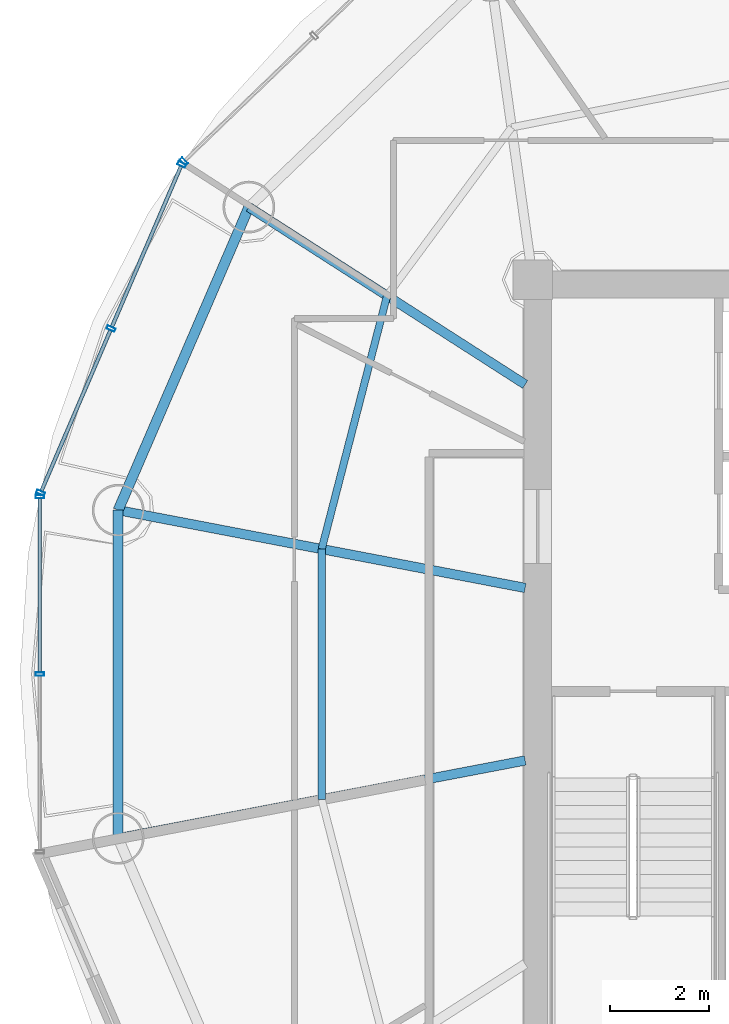
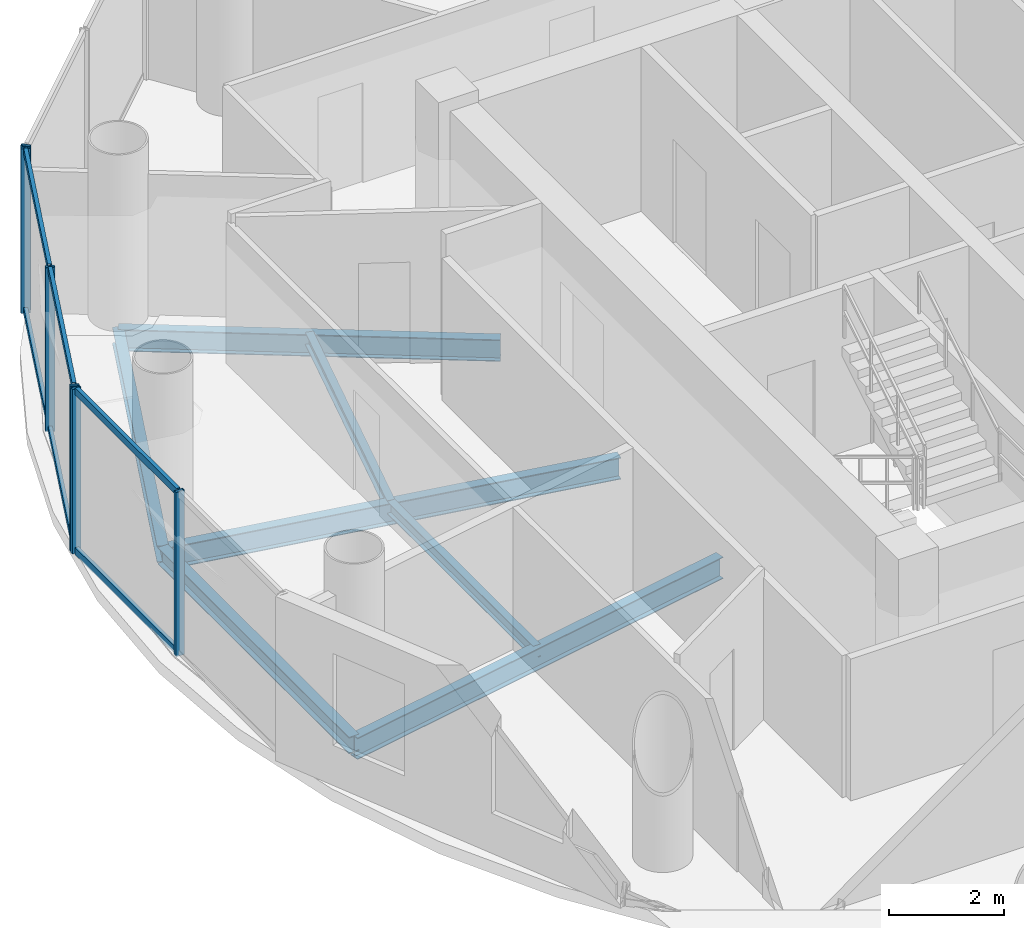
# One storey, part 8 of 23: 12 members, 7 beams, 3 elements without a shape of their own.
"""IFC4 building model written with IfcOpenShell, lengths in metres."""

from ifc_helpers import new_model, si_unit, direction, frame, origin, origin_2d, place, context, subcontext, project, spatial, hollow_rectangle, i_section, extrude, source, transform, mapped, material, material_profile, profile_set, type_object, element, aggregate, save


model = new_model("IFC4")

# Units and contexts
model_context = context("Model", 3, precision=1e-05, world=origin(), true_north=direction((-0.2419218956, 0.970295726276)))
body_context = subcontext(model_context, "Body", "Model", "MODEL_VIEW")
ifc_project = project(units=[si_unit("LENGTHUNIT", "METRE"), si_unit("AREAUNIT", "SQUARE_METRE"), si_unit("VOLUMEUNIT", "CUBIC_METRE"), si_unit("PLANEANGLEUNIT", "RADIAN"), si_unit("MASSUNIT", "GRAM", prefix="KILO")], contexts=[model_context])

# Site, building, storey
site_placement = place(None, origin())
site = spatial("IfcSite", under=ifc_project, at=site_placement, CompositionType="ELEMENT")
building_placement = place(site_placement, origin())
building = spatial("IfcBuilding", under=site, at=building_placement, Name="Cobrevalo Terracotta Tower", CompositionType="ELEMENT")
storey_placement = place(building_placement, frame((0.0, 0.0, 248.199951171875)))
storey = spatial("IfcBuildingStorey", under=building, at=storey_placement, Name="L65", CompositionType="ELEMENT", Elevation=248.199951171875)

# Beams
ifc_material_1 = material(Name="Steel S355", Category="steel")
ifc_material_profile_1 = material_profile(ifc_material_1, i_section(OverallWidth=0.19091796875, OverallDepth=0.4599609375, WebThickness=0.010009765625, FlangeThickness=0.01611328125, at=origin_2d()), Name="W 460x82")
ifc_profile_set_1 = profile_set([ifc_material_profile_1], Name="Steel S355")
beam_type_1 = type_object("IfcBeamType", Name="Structural Beam W 460x82 (Steel S355)", PredefinedType="BEAM", material=ifc_profile_set_1)
beam_1_placement = place(storey_placement, frame((23.241455078125, 36.2724609375, -0.489990234375), z_axis=(0.84157615512, -0.540138477739, 0.0), x_axis=(0.540138477739, 0.84157615512, 0.0)))
element("IfcBeam", 1, at=beam_1_placement, inside=storey, type_object=beam_type_1, Name="L65 radial floor girder 07", PredefinedType="BEAM", context=body_context, shape_type="SweptSolid", body=[
    extrude(i_section(OverallWidth=0.19091796875, OverallDepth=0.4599609375, WebThickness=0.010009765625, FlangeThickness=0.01611328125, at=origin_2d()), origin(), (0.0, 0.0, 1.0), 6.658447265625),
])
beam_2_placement = place(storey_placement, frame((20.591064453125, 30.126220703125, -0.489990234375), z_axis=(0.982234917636, -0.187655446433, 0.0), x_axis=(0.187655446433, 0.982234917636, 0.0)))
element("IfcBeam", 2, at=beam_2_placement, inside=storey, type_object=beam_type_1, Name="L65 radial floor girder 08", PredefinedType="BEAM", context=body_context, shape_type="SweptSolid", body=[
    extrude(i_section(OverallWidth=0.19091796875, OverallDepth=0.4599609375, WebThickness=0.010009765625, FlangeThickness=0.01611328125, at=origin_2d()), origin(), (0.0, 0.0, 1.0), 8.403076171875),
])
beam_3_placement = place(storey_placement, frame((20.591064453125, 23.4736328125, -0.489990234375), z_axis=(0.982229562106, 0.187683476432, 0.0), x_axis=(-0.187683476432, 0.982229562106, 0.0)))
element("IfcBeam", 3, at=beam_3_placement, inside=storey, type_object=beam_type_1, Name="L65 radial floor girder 09", PredefinedType="BEAM", context=body_context, shape_type="SweptSolid", body=[
    extrude(i_section(OverallWidth=0.19091796875, OverallDepth=0.4599609375, WebThickness=0.010009765625, FlangeThickness=0.01611328125, at=origin_2d()), origin(), (0.0, 0.0, 1.0), 8.4033203125),
])
ifc_material_profile_2 = material_profile(ifc_material_1, i_section(OverallWidth=0.14794921875, OverallDepth=0.26611328125, WebThickness=0.007568359375, FlangeThickness=0.012939453125, at=origin_2d()), Name="W 250x44.8")
ifc_profile_set_2 = profile_set([ifc_material_profile_2], Name="Steel S355")
beam_type_2 = type_object("IfcBeamType", Name="Structural Joist W 250x44.8 (Steel S355)", PredefinedType="JOIST", material=ifc_profile_set_2)
beam_4_placement = place(storey_placement, frame((26.043212890625, 34.47412109375, -0.39306640625), z_axis=(-0.249816773293, -0.968293126993, 0.0), x_axis=(0.968293126993, -0.249816773293, 0.0)))
element("IfcBeam", 4, at=beam_4_placement, inside=storey, type_object=beam_type_2, Name="L65 circumferential secondary floor joist 07", PredefinedType="JOIST", context=body_context, shape_type="SweptSolid", body=[
    extrude(i_section(OverallWidth=0.14794921875, OverallDepth=0.26611328125, WebThickness=0.007568359375, FlangeThickness=0.012939453125, at=origin_2d()), origin(), (0.0, 0.0, 1.0), 5.3046875),
])
beam_5_placement = place(storey_placement, frame((24.718017578125, 29.337646484375, -0.39306640625), z_axis=(0.0, -1.0, 0.0), x_axis=(1.0, 0.0, 0.0)))
element("IfcBeam", 5, at=beam_5_placement, inside=storey, type_object=beam_type_2, Name="L65 circumferential secondary floor joist 08", PredefinedType="JOIST", context=body_context, shape_type="SweptSolid", body=[
    extrude(i_section(OverallWidth=0.14794921875, OverallDepth=0.26611328125, WebThickness=0.007568359375, FlangeThickness=0.012939453125, at=origin_2d()), origin(), (0.0, 0.0, 1.0), 5.075439453125),
])
ifc_material_profile_3 = material_profile(ifc_material_1, i_section(OverallWidth=0.205078125, OverallDepth=0.35400390625, WebThickness=0.009521484375, FlangeThickness=0.016845703125, at=origin_2d()), Name="W 360x79")
ifc_profile_set_3 = profile_set([ifc_material_profile_3], Name="Steel S355")
beam_type_3 = type_object("IfcBeamType", Name="Structural Spandrel W 360x79 (Steel S355)", PredefinedType="SPANDREL", material=ifc_profile_set_3)
beam_6_placement = place(storey_placement, frame((23.241455078125, 36.2724609375, -0.43701171875), z_axis=(-0.395974127655, -0.918261667624, 0.0), x_axis=(0.918261667624, -0.395974127655, 0.0)))
element("IfcBeam", 6, at=beam_6_placement, inside=storey, type_object=beam_type_3, Name="L65 perimeter ring spandrel 07", PredefinedType="SPANDREL", context=body_context, shape_type="SweptSolid", body=[
    extrude(i_section(OverallWidth=0.205078125, OverallDepth=0.35400390625, WebThickness=0.009521484375, FlangeThickness=0.016845703125, at=origin_2d()), origin(), (0.0, 0.0, 1.0), 6.693359375),
])
beam_7_placement = place(storey_placement, frame((20.591064453125, 30.126220703125, -0.43701171875), z_axis=(0.0, -1.0, 0.0), x_axis=(1.0, 0.0, 0.0)))
element("IfcBeam", 7, at=beam_7_placement, inside=storey, type_object=beam_type_3, Name="L65 perimeter ring spandrel 08", PredefinedType="SPANDREL", context=body_context, shape_type="SweptSolid", body=[
    extrude(i_section(OverallWidth=0.205078125, OverallDepth=0.35400390625, WebThickness=0.009521484375, FlangeThickness=0.016845703125, at=origin_2d()), origin(), (0.0, 0.0, 1.0), 6.652587890625),
])

# Curtain wall, member
ifc_material_2 = material(Name="Anodized aluminium", Category="aluminium")
curtain_wall_type = type_object("IfcCurtainWallType", Name="Upper-tower triple-glazed penthouse curtain wall CW-U3", PredefinedType="NOTDEFINED", material=ifc_material_2)
curtain_wall_1_placement = place(storey_placement, origin())
curtain_wall_1 = element("IfcCurtainWall", 8, at=curtain_wall_1_placement, inside=storey, type_object=curtain_wall_type, Name="L65 curtain wall CW-L65-S06", PredefinedType="NOTDEFINED")
ifc_material_profile_4 = material_profile(ifc_material_2, hollow_rectangle(XDim=0.070068359375, YDim=0.169921875, WallThickness=0.00439453125, at=origin_2d()), Name="CWM 70x170")
ifc_profile_set_4 = profile_set([ifc_material_profile_4], Name="Anodized aluminium")
member_type_1 = type_object("IfcMemberType", Name="Upper tower unitised mullion 70x170", PredefinedType="MULLION", material=ifc_profile_set_4)
shared_shape_1 = source(origin(), body_context, "Body", "SweptSolid", [
    extrude(hollow_rectangle(XDim=0.070068359375, YDim=0.169921875, WallThickness=0.00439453125, at=origin_2d()), origin(), (0.0, 0.0, 1.0), 3.489990234375),
])
member_1_placement = place(storey_placement, frame((21.92333984375, 37.2001953125, 0.0), z_axis=(0.0, 0.0, 1.0), x_axis=(-0.71999418085, -0.69398010025, 0.0)))
member_1 = element("IfcMember", 9, at=member_1_placement, type_object=member_type_1, Name="CW-L65-S06 vertical mullion 03", PredefinedType="MULLION", context=body_context, shape_type="MappedRepresentation", body=[
    mapped(shared_shape_1, transform((0.0, 0.0, 0.0), scale=1.0)),
])
aggregate(curtain_wall_1, [member_1])

# Curtain wall, members
curtain_wall_2_placement = place(storey_placement, origin())
curtain_wall_2 = element("IfcCurtainWall", 10, at=curtain_wall_2_placement, inside=storey, type_object=curtain_wall_type, Name="L65 curtain wall CW-L65-S07", PredefinedType="NOTDEFINED")
member_2_placement = place(storey_placement, frame((21.878662109375, 37.1357421875, 0.0), z_axis=(0.0, 0.0, 1.0), x_axis=(-0.39482403454, -0.91875675875, 0.0)))
member_2 = element("IfcMember", 11, at=member_2_placement, type_object=member_type_1, Name="CW-L65-S07 vertical mullion 01", PredefinedType="MULLION", context=body_context, shape_type="MappedRepresentation", body=[
    mapped(shared_shape_1, transform((0.0, 0.0, 0.0), scale=1.0)),
])
member_3_placement = place(storey_placement, frame((20.4482421875, 33.807373046875, 0.0), z_axis=(0.0, 0.0, 1.0), x_axis=(-0.39482403454, -0.91875675875, 0.0)))
member_3 = element("IfcMember", 12, at=member_3_placement, type_object=member_type_1, Name="CW-L65-S07 vertical mullion 02", PredefinedType="MULLION", context=body_context, shape_type="MappedRepresentation", body=[
    mapped(shared_shape_1, transform((0.0, 0.0, 0.0), scale=1.0)),
])
member_4_placement = place(storey_placement, frame((19.01806640625, 30.47900390625, 0.0), z_axis=(0.0, 0.0, 1.0), x_axis=(-0.39482403454, -0.91875675875, 0.0)))
member_4 = element("IfcMember", 13, at=member_4_placement, type_object=member_type_1, Name="CW-L65-S07 vertical mullion 03", PredefinedType="MULLION", context=body_context, shape_type="MappedRepresentation", body=[
    mapped(shared_shape_1, transform((0.0, 0.0, 0.0), scale=1.0)),
])

curtain_wall_3_placement = place(storey_placement, origin())
curtain_wall_3 = element("IfcCurtainWall", 14, at=curtain_wall_3_placement, inside=storey, type_object=curtain_wall_type, Name="L65 curtain wall CW-L65-S08", PredefinedType="NOTDEFINED")
member_5_placement = place(storey_placement, frame((19.002197265625, 30.40234375, 0.0), z_axis=(0.0, 0.0, 1.0), x_axis=(0.0, -1.0, 0.0)))
member_5 = element("IfcMember", 15, at=member_5_placement, type_object=member_type_1, Name="CW-L65-S08 vertical mullion 01", PredefinedType="MULLION", context=body_context, shape_type="MappedRepresentation", body=[
    mapped(shared_shape_1, transform((0.0, 0.0, 0.0), scale=1.0)),
])
member_6_placement = place(storey_placement, frame((19.002197265625, 26.800048828125, 0.0), z_axis=(0.0, 0.0, 1.0), x_axis=(0.0, -1.0, 0.0)))
member_6 = element("IfcMember", 16, at=member_6_placement, type_object=member_type_1, Name="CW-L65-S08 vertical mullion 02", PredefinedType="MULLION", context=body_context, shape_type="MappedRepresentation", body=[
    mapped(shared_shape_1, transform((0.0, 0.0, 0.0), scale=1.0)),
])

# Member
ifc_material_profile_5 = material_profile(ifc_material_2, hollow_rectangle(XDim=0.074951171875, YDim=0.14990234375, WallThickness=0.00439453125, at=origin_2d()), Name="CWT 75x150")
ifc_profile_set_5 = profile_set([ifc_material_profile_5], Name="Anodized aluminium")
member_type_2 = type_object("IfcMemberType", Name="Tower unitised aluminium transom 75x150", PredefinedType="USERDEFINED", material=ifc_profile_set_5)
shared_shape_2 = source(origin(), body_context, "Body", "SweptSolid", [
    extrude(hollow_rectangle(XDim=0.074951171875, YDim=0.14990234375, WallThickness=0.00439453125, at=origin_2d()), origin(), (0.0, 0.0, 1.0), 3.54248046875),
])
member_7_placement = place(storey_placement, frame((21.86279296875, 37.098876953125, 0.050048828125), z_axis=(-0.394834055841, -0.918752452159, 0.0), x_axis=(0.918752452159, -0.394834055841, 0.0)))
member_7 = element("IfcMember", 17, at=member_7_placement, type_object=member_type_2, Name="CW-L65-S07 transom B01-T1", ObjectType="TRANSOM", PredefinedType="USERDEFINED", context=body_context, shape_type="MappedRepresentation", body=[
    mapped(shared_shape_2, transform((0.0, 0.0, 0.0), scale=1.0)),
])

member_8_placement = place(storey_placement, frame((21.86279296875, 37.098876953125, 3.43994140625), z_axis=(-0.394834055841, -0.918752452159, 0.0), x_axis=(0.918752452159, -0.394834055841, 0.0)))
member_8 = element("IfcMember", 18, at=member_8_placement, type_object=member_type_2, Name="CW-L65-S07 transom B01-T2", ObjectType="TRANSOM", PredefinedType="USERDEFINED", context=body_context, shape_type="MappedRepresentation", body=[
    mapped(shared_shape_2, transform((0.0, 0.0, 0.0), scale=1.0)),
])

shared_shape_3 = source(origin(), body_context, "Body", "SweptSolid", [
    extrude(hollow_rectangle(XDim=0.074951171875, YDim=0.14990234375, WallThickness=0.00439453125, at=origin_2d()), origin(), (0.0, 0.0, 1.0), 3.542724609375),
])
member_9_placement = place(storey_placement, frame((20.4326171875, 33.770751953125, 0.050048828125), z_axis=(-0.394867226589, -0.918738196314, 0.0), x_axis=(0.918738196314, -0.394867226589, 0.0)))
member_9 = element("IfcMember", 19, at=member_9_placement, type_object=member_type_2, Name="CW-L65-S07 transom B02-T1", ObjectType="TRANSOM", PredefinedType="USERDEFINED", context=body_context, shape_type="MappedRepresentation", body=[
    mapped(shared_shape_3, transform((0.0, 0.0, 0.0), scale=1.0)),
])

member_10_placement = place(storey_placement, frame((20.4326171875, 33.770751953125, 3.43994140625), z_axis=(-0.394867226589, -0.918738196314, 0.0), x_axis=(0.918738196314, -0.394867226589, 0.0)))
member_10 = element("IfcMember", 20, at=member_10_placement, type_object=member_type_2, Name="CW-L65-S07 transom B02-T2", ObjectType="TRANSOM", PredefinedType="USERDEFINED", context=body_context, shape_type="MappedRepresentation", body=[
    mapped(shared_shape_3, transform((0.0, 0.0, 0.0), scale=1.0)),
])

aggregate(curtain_wall_2, [member_2, member_3, member_4, member_7, member_8, member_9, member_10])

shared_shape_4 = source(origin(), body_context, "Body", "SweptSolid", [
    extrude(hollow_rectangle(XDim=0.074951171875, YDim=0.14990234375, WallThickness=0.00439453125, at=origin_2d()), origin(), (0.0, 0.0, 1.0), 3.522216796875),
])
member_11_placement = place(storey_placement, frame((19.002197265625, 30.3623046875, 0.050048828125), z_axis=(0.0, -1.0, 0.0), x_axis=(1.0, 0.0, 0.0)))
member_11 = element("IfcMember", 21, at=member_11_placement, type_object=member_type_2, Name="CW-L65-S08 transom B01-T1", ObjectType="TRANSOM", PredefinedType="USERDEFINED", context=body_context, shape_type="MappedRepresentation", body=[
    mapped(shared_shape_4, transform((0.0, 0.0, 0.0), scale=1.0)),
])

member_12_placement = place(storey_placement, frame((19.002197265625, 30.3623046875, 3.43994140625), z_axis=(0.0, -1.0, 0.0), x_axis=(1.0, 0.0, 0.0)))
member_12 = element("IfcMember", 22, at=member_12_placement, type_object=member_type_2, Name="CW-L65-S08 transom B01-T2", ObjectType="TRANSOM", PredefinedType="USERDEFINED", context=body_context, shape_type="MappedRepresentation", body=[
    mapped(shared_shape_4, transform((0.0, 0.0, 0.0), scale=1.0)),
])

aggregate(curtain_wall_3, [member_5, member_6, member_11, member_12])

save(model, "model.ifc")
